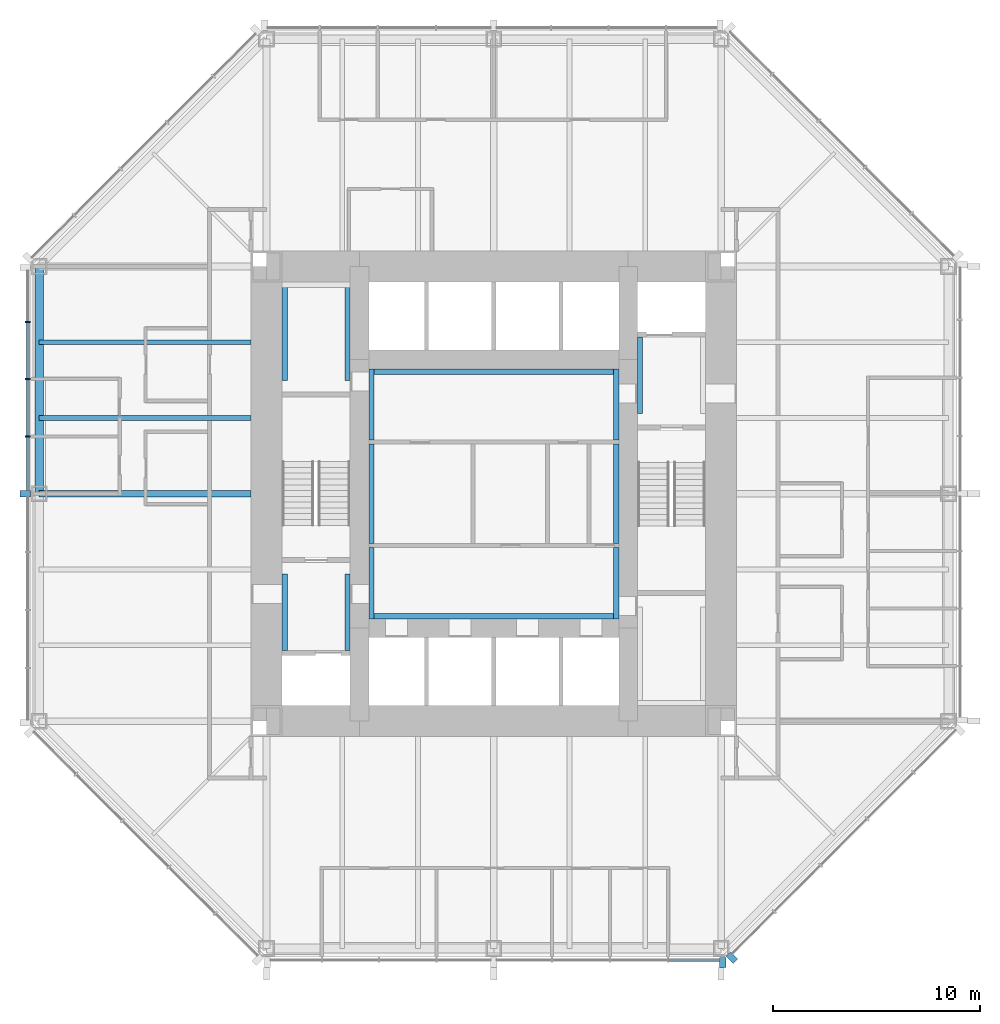
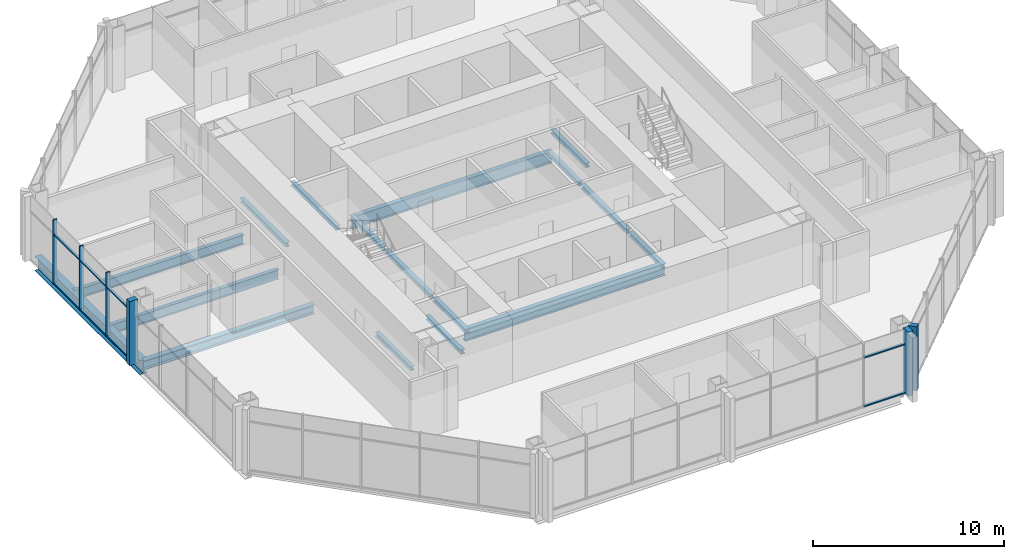
# One storey, part 3 of 12: 17 beams, 14 members, 3 elements without a shape of their own.
"""IFC4 building model written with IfcOpenShell, lengths in metres."""

from ifc_helpers import new_model, si_unit, direction, frame, origin, origin_2d, place, context, subcontext, project, spatial, rectangle, i_section, extrude, material, material_profile, profile_set, type_object, element, aggregate, save


model = new_model("IFC4")

# Units and contexts
model_context = context("Model", 3, precision=1e-05, world=origin(), true_north=direction((0.0, 1.0)))
body_context = subcontext(model_context, "Body", "Model", "MODEL_VIEW")
ifc_project = project(units=[si_unit("LENGTHUNIT", "METRE"), si_unit("AREAUNIT", "SQUARE_METRE"), si_unit("VOLUMEUNIT", "CUBIC_METRE"), si_unit("PLANEANGLEUNIT", "RADIAN"), si_unit("MASSUNIT", "GRAM", prefix="KILO")], contexts=[model_context])

# Site, building, storey
site_placement = place(None, origin())
site = spatial("IfcSite", under=ifc_project, at=site_placement, CompositionType="ELEMENT")
building_placement = place(site_placement, origin())
building = spatial("IfcBuilding", under=site, at=building_placement, Name="Trevanion Tower", CompositionType="ELEMENT")
storey_placement = place(building_placement, frame((0.0, 0.0, 137.699951171875)))
storey = spatial("IfcBuildingStorey", under=building, at=storey_placement, Name="L32", CompositionType="ELEMENT", Elevation=137.699951171875)

# Beams
ifc_material_1 = material(Name="Steel ASTM A992 Grade 50", Category="steel")
ifc_material_profile_1 = material_profile(ifc_material_1, i_section(OverallWidth=0.22900390625, OverallDepth=0.612060546875, WebThickness=0.011962890625, FlangeThickness=0.01953125, at=origin_2d()), Name="W24X84")
ifc_profile_set_1 = profile_set([ifc_material_profile_1], Name="Steel ASTM A992 Grade 50")
beam_type_1 = type_object("IfcBeamType", Name="B7 W24X84", PredefinedType="BEAM", material=ifc_profile_set_1)
for number, where, z_axis, x_axis, name in (
    (1, (-11.75, 7.333251953125, -0.49609375), (-1.0, 0.0, 0.0), (0.0, -1.0, 0.0), "B7 L32"),
    (2, (-11.75, 3.666748046875, -0.49609375), (-1.0, 0.0, 0.0), (0.0, -1.0, 0.0), "B7 L32"),
):
    element("IfcBeam", number, at=place(storey_placement, frame(where, z_axis=z_axis, x_axis=x_axis)), inside=storey, type_object=beam_type_1, Name=name, PredefinedType="BEAM", context=body_context, shape_type="SweptSolid", body=[
        extrude(i_section(OverallWidth=0.22900390625, OverallDepth=0.612060546875, WebThickness=0.011962890625, FlangeThickness=0.01953125, at=origin_2d()), origin(), (0.0, 0.0, 1.0), 10.25),
    ])

# Curtain wall, members
ifc_material_2 = material(Name="Aluminium and glass", Category="aluminium")
curtain_wall_type = type_object("IfcCurtainWallType", Name="CW2 curtain wall", PredefinedType="USERDEFINED", material=ifc_material_2)
curtain_wall_1_placement = place(storey_placement, origin())
curtain_wall_1 = element("IfcCurtainWall", 3, at=curtain_wall_1_placement, inside=storey, type_object=curtain_wall_type, Name="CW2 L32 4", ObjectType="UNITISED CURTAIN WALL", PredefinedType="USERDEFINED")
ifc_material_3 = material(Name="Aluminium extrusion, anodised bronze", Category="aluminium")
ifc_material_profile_2 = material_profile(ifc_material_3, rectangle(XDim=0.074951171875, YDim=0.25, at=origin_2d()), Name="CW2 mullion")
ifc_profile_set_2 = profile_set([ifc_material_profile_2], Name="Aluminium extrusion, anodised bronze")
member_type_1 = type_object("IfcMemberType", Name="CW2 mullion", PredefinedType="MULLION", material=ifc_profile_set_2)
member_1_placement = place(storey_placement, frame((-22.550048828125, 8.323486328125, -0.18994140625), z_axis=(0.0, 0.0, 1.0), x_axis=(0.0, -1.0, 0.0)))
member_1 = element("IfcMember", 4, at=member_1_placement, type_object=member_type_1, Name="CW2 mullion 2", PredefinedType="MULLION", context=body_context, shape_type="SweptSolid", body=[
    extrude(rectangle(XDim=0.074951171875, YDim=0.25, at=origin_2d()), origin(), (0.0, 0.0, 1.0), 4.10009765625),
])
member_2_placement = place(storey_placement, frame((-22.550048828125, 5.548828125, -0.18994140625), z_axis=(0.0, 0.0, 1.0), x_axis=(0.0, -1.0, 0.0)))
member_2 = element("IfcMember", 5, at=member_2_placement, type_object=member_type_1, Name="CW2 mullion 3", PredefinedType="MULLION", context=body_context, shape_type="SweptSolid", body=[
    extrude(rectangle(XDim=0.074951171875, YDim=0.25, at=origin_2d()), origin(), (0.0, 0.0, 1.0), 4.10009765625),
])
member_3_placement = place(storey_placement, frame((-22.550048828125, 2.7744140625, -0.18994140625), z_axis=(0.0, 0.0, 1.0), x_axis=(0.0, -1.0, 0.0)))
member_3 = element("IfcMember", 6, at=member_3_placement, type_object=member_type_1, Name="CW2 mullion 4", PredefinedType="MULLION", context=body_context, shape_type="SweptSolid", body=[
    extrude(rectangle(XDim=0.074951171875, YDim=0.25, at=origin_2d()), origin(), (0.0, 0.0, 1.0), 4.10009765625),
])
ifc_material_4 = material(Name="Aluminium extrusion, anodised bronze", Category="aluminium")
ifc_material_profile_3 = material_profile(ifc_material_4, rectangle(XDim=0.300048828125, YDim=0.5, at=origin_2d()), Name="CW2 pier mullion")
ifc_profile_set_3 = profile_set([ifc_material_profile_3], Name="Aluminium extrusion, anodised bronze")
member_type_2 = type_object("IfcMemberType", Name="CW2 pier mullion", PredefinedType="MULLION", material=ifc_profile_set_3)
member_4_placement = place(storey_placement, frame((-22.675048828125, 0.0, -0.18994140625), z_axis=(0.0, 0.0, 1.0), x_axis=(0.0, -1.0, 0.0)))
member_4 = element("IfcMember", 7, at=member_4_placement, type_object=member_type_2, Name="CW2 pier mullion 5", PredefinedType="MULLION", context=body_context, shape_type="SweptSolid", body=[
    extrude(rectangle(XDim=0.300048828125, YDim=0.5, at=origin_2d()), origin(), (0.0, 0.0, 1.0), 4.10009765625),
])

# Curtain wall, member
curtain_wall_2_placement = place(storey_placement, origin())
curtain_wall_2 = element("IfcCurtainWall", 8, at=curtain_wall_2_placement, inside=storey, type_object=curtain_wall_type, Name="CW2 L32 6", ObjectType="UNITISED CURTAIN WALL", PredefinedType="USERDEFINED")
member_5_placement = place(storey_placement, frame((11.077880859375, -22.675048828125, -0.18994140625), z_axis=(0.0, 0.0, 1.0), x_axis=(1.0, 0.0, 0.0)))
member_5 = element("IfcMember", 9, at=member_5_placement, type_object=member_type_2, Name="CW2 pier mullion 9", PredefinedType="MULLION", context=body_context, shape_type="SweptSolid", body=[
    extrude(rectangle(XDim=0.300048828125, YDim=0.5, at=origin_2d()), origin(), (0.0, 0.0, 1.0), 4.10009765625),
])

curtain_wall_3_placement = place(storey_placement, origin())
curtain_wall_3 = element("IfcCurtainWall", 10, at=curtain_wall_3_placement, inside=storey, type_object=curtain_wall_type, Name="CW2 L32 7", ObjectType="UNITISED CURTAIN WALL", PredefinedType="USERDEFINED")
member_6_placement = place(storey_placement, frame((11.51416015625, -22.4404296875, -0.18994140625), z_axis=(0.0, 0.0, 1.0), x_axis=(0.707106781187, 0.707106781187, 0.0)))
member_6 = element("IfcMember", 11, at=member_6_placement, type_object=member_type_2, Name="CW2 pier mullion 1", PredefinedType="MULLION", context=body_context, shape_type="SweptSolid", body=[
    extrude(rectangle(XDim=0.300048828125, YDim=0.5, at=origin_2d()), origin(), (0.0, 0.0, 1.0), 4.10009765625),
])
aggregate(curtain_wall_3, [member_6])

# Member
ifc_material_5 = material(Name="Aluminium extrusion, anodised bronze", Category="aluminium")
ifc_material_profile_4 = material_profile(ifc_material_5, rectangle(XDim=0.14990234375, YDim=0.074951171875, at=origin_2d()), Name="CW2 transom")
ifc_profile_set_4 = profile_set([ifc_material_profile_4], Name="Aluminium extrusion, anodised bronze")
member_type_3 = type_object("IfcMemberType", Name="CW2 transom", PredefinedType="USERDEFINED", material=ifc_profile_set_4)
member_7_placement = place(storey_placement, frame((-22.550048828125, 8.285888671875, -0.15234375), z_axis=(0.0, -1.0, 0.0), x_axis=(1.0, 0.0, 0.0)))
member_7 = element("IfcMember", 12, at=member_7_placement, type_object=member_type_3, Name="CW2 transom 2.1", ObjectType="TRANSOM", PredefinedType="USERDEFINED", context=body_context, shape_type="SweptSolid", body=[
    extrude(rectangle(XDim=0.14990234375, YDim=0.074951171875, at=origin_2d()), origin(), (0.0, 0.0, 1.0), 2.699462890625),
])

member_8_placement = place(storey_placement, frame((-22.550048828125, 8.285888671875, 2.9599609375), z_axis=(0.0, -1.0, 0.0), x_axis=(1.0, 0.0, 0.0)))
member_8 = element("IfcMember", 13, at=member_8_placement, type_object=member_type_3, Name="CW2 transom 2.2", ObjectType="TRANSOM", PredefinedType="USERDEFINED", context=body_context, shape_type="SweptSolid", body=[
    extrude(rectangle(XDim=0.14990234375, YDim=0.074951171875, at=origin_2d()), origin(), (0.0, 0.0, 1.0), 2.699462890625),
])

member_9_placement = place(storey_placement, frame((-22.550048828125, 5.511474609375, -0.15234375), z_axis=(0.0, -1.0, 0.0), x_axis=(1.0, 0.0, 0.0)))
member_9 = element("IfcMember", 14, at=member_9_placement, type_object=member_type_3, Name="CW2 transom 3.1", ObjectType="TRANSOM", PredefinedType="USERDEFINED", context=body_context, shape_type="SweptSolid", body=[
    extrude(rectangle(XDim=0.14990234375, YDim=0.074951171875, at=origin_2d()), origin(), (0.0, 0.0, 1.0), 2.699462890625),
])

member_10_placement = place(storey_placement, frame((-22.550048828125, 5.511474609375, 2.9599609375), z_axis=(0.0, -1.0, 0.0), x_axis=(1.0, 0.0, 0.0)))
member_10 = element("IfcMember", 15, at=member_10_placement, type_object=member_type_3, Name="CW2 transom 3.2", ObjectType="TRANSOM", PredefinedType="USERDEFINED", context=body_context, shape_type="SweptSolid", body=[
    extrude(rectangle(XDim=0.14990234375, YDim=0.074951171875, at=origin_2d()), origin(), (0.0, 0.0, 1.0), 2.699462890625),
])

member_11_placement = place(storey_placement, frame((-22.550048828125, 2.737060546875, -0.15234375), z_axis=(0.0, -1.0, 0.0), x_axis=(1.0, 0.0, 0.0)))
member_11 = element("IfcMember", 16, at=member_11_placement, type_object=member_type_3, Name="CW2 transom 4.1", ObjectType="TRANSOM", PredefinedType="USERDEFINED", context=body_context, shape_type="SweptSolid", body=[
    extrude(rectangle(XDim=0.14990234375, YDim=0.074951171875, at=origin_2d()), origin(), (0.0, 0.0, 1.0), 2.587158203125),
])

member_12_placement = place(storey_placement, frame((-22.550048828125, 2.737060546875, 2.9599609375), z_axis=(0.0, -1.0, 0.0), x_axis=(1.0, 0.0, 0.0)))
member_12 = element("IfcMember", 17, at=member_12_placement, type_object=member_type_3, Name="CW2 transom 4.2", ObjectType="TRANSOM", PredefinedType="USERDEFINED", context=body_context, shape_type="SweptSolid", body=[
    extrude(rectangle(XDim=0.14990234375, YDim=0.074951171875, at=origin_2d()), origin(), (0.0, 0.0, 1.0), 2.587158203125),
])

aggregate(curtain_wall_1, [member_1, member_2, member_3, member_4, member_7, member_8, member_9, member_10, member_11, member_12])

member_13_placement = place(storey_placement, frame((8.45849609375, -22.550048828125, -0.15234375), z_axis=(1.0, 0.0, 0.0), x_axis=(0.0, 1.0, 0.0)))
member_13 = element("IfcMember", 18, at=member_13_placement, type_object=member_type_3, Name="CW2 transom 8.1", ObjectType="TRANSOM", PredefinedType="USERDEFINED", context=body_context, shape_type="SweptSolid", body=[
    extrude(rectangle(XDim=0.14990234375, YDim=0.074951171875, at=origin_2d()), origin(), (0.0, 0.0, 1.0), 2.46923828125),
])

member_14_placement = place(storey_placement, frame((8.45849609375, -22.550048828125, 2.9599609375), z_axis=(1.0, 0.0, 0.0), x_axis=(0.0, 1.0, 0.0)))
member_14 = element("IfcMember", 19, at=member_14_placement, type_object=member_type_3, Name="CW2 transom 8.2", ObjectType="TRANSOM", PredefinedType="USERDEFINED", context=body_context, shape_type="SweptSolid", body=[
    extrude(rectangle(XDim=0.14990234375, YDim=0.074951171875, at=origin_2d()), origin(), (0.0, 0.0, 1.0), 2.46923828125),
])

aggregate(curtain_wall_2, [member_5, member_13, member_14])

# Beams
ifc_material_6 = material(Name="Steel ASTM A992 Grade 50", Category="steel")
ifc_material_profile_5 = material_profile(ifc_material_6, i_section(OverallWidth=0.320068359375, OverallDepth=0.584228515625, WebThickness=0.023193359375, FlangeThickness=0.04150390625, at=origin_2d()), Name="W21X201")
ifc_profile_set_5 = profile_set([ifc_material_profile_5], Name="Steel ASTM A992 Grade 50")
beam_type_2 = type_object("IfcBeamType", Name="G4 W21X201", PredefinedType="BEAM", material=ifc_profile_set_5)
beam_1_placement = place(storey_placement, frame((-11.75, 0.0, -0.48193359375), z_axis=(-1.0, 0.0, 0.0), x_axis=(0.0, -1.0, 0.0)))
element("IfcBeam", 20, at=beam_1_placement, inside=storey, type_object=beam_type_2, Name="G4 L32", PredefinedType="BEAM", context=body_context, shape_type="SweptSolid", body=[
    extrude(i_section(OverallWidth=0.320068359375, OverallDepth=0.584228515625, WebThickness=0.023193359375, FlangeThickness=0.04150390625, at=origin_2d()), origin(), (0.0, 0.0, 1.0), 10.25),
])
ifc_material_7 = material(Name="Steel ASTM A992 Grade 50", Category="steel")
ifc_material_profile_6 = material_profile(ifc_material_7, i_section(OverallWidth=0.256591796875, OverallDepth=0.26416015625, WebThickness=0.011962890625, FlangeThickness=0.01953125, at=origin_2d()), Name="W10X68")
ifc_profile_set_6 = profile_set([ifc_material_profile_6], Name="Steel ASTM A992 Grade 50")
beam_type_3 = type_object("IfcBeamType", Name="LB1 W10X68", PredefinedType="BEAM", material=ifc_profile_set_6)
for number, where, z_axis, x_axis, name in (
    (21, (-5.921630859375, 2.60009765625, -0.33203125), (0.0, 1.0, 0.0), (-1.0, 0.0, 0.0), "LB1 L32"),
    (22, (5.921630859375, 2.60009765625, -0.33203125), (0.0, 1.0, 0.0), (-1.0, 0.0, 0.0), "LB1 L32"),
    (23, (-5.921630859375, -6.050048828125, -0.33203125), (0.0, 1.0, 0.0), (-1.0, 0.0, 0.0), "LB1 L32"),
    (24, (5.921630859375, -6.050048828125, -0.33203125), (0.0, 1.0, 0.0), (-1.0, 0.0, 0.0), "LB1 L32"),
):
    element("IfcBeam", number, at=place(storey_placement, frame(where, z_axis=z_axis, x_axis=x_axis)), inside=storey, type_object=beam_type_3, Name=name, PredefinedType="BEAM", context=body_context, shape_type="SweptSolid", body=[
        extrude(i_section(OverallWidth=0.256591796875, OverallDepth=0.26416015625, WebThickness=0.011962890625, FlangeThickness=0.01953125, at=origin_2d()), origin(), (0.0, 0.0, 1.0), 3.449951171875),
    ])
for number, where, z_axis, x_axis, name in (
    (25, (7.078369140625, 3.875, -0.33203125), (0.0, 1.0, 0.0), (-1.0, 0.0, 0.0), "LB1 L32"),
    (26, (-10.12158203125, -7.574951171875, -0.33203125), (0.0, 1.0, 0.0), (-1.0, 0.0, 0.0), "LB1 L32"),
    (27, (-7.078369140625, -7.574951171875, -0.33203125), (0.0, 1.0, 0.0), (-1.0, 0.0, 0.0), "LB1 L32"),
):
    element("IfcBeam", number, at=place(storey_placement, frame(where, z_axis=z_axis, x_axis=x_axis)), inside=storey, type_object=beam_type_3, Name=name, PredefinedType="BEAM", context=body_context, shape_type="SweptSolid", body=[
        extrude(i_section(OverallWidth=0.256591796875, OverallDepth=0.26416015625, WebThickness=0.011962890625, FlangeThickness=0.01953125, at=origin_2d()), origin(), (0.0, 0.0, 1.0), 3.699951171875),
    ])
for number, where, z_axis, x_axis, name in (
    (28, (-10.12158203125, 5.47509765625, -0.33203125), (0.0, 1.0, 0.0), (-1.0, 0.0, 0.0), "LB1 L32"),
    (29, (-7.078369140625, 5.47509765625, -0.33203125), (0.0, 1.0, 0.0), (-1.0, 0.0, 0.0), "LB1 L32"),
):
    element("IfcBeam", number, at=place(storey_placement, frame(where, z_axis=z_axis, x_axis=x_axis)), inside=storey, type_object=beam_type_3, Name=name, PredefinedType="BEAM", context=body_context, shape_type="SweptSolid", body=[
        extrude(i_section(OverallWidth=0.256591796875, OverallDepth=0.26416015625, WebThickness=0.011962890625, FlangeThickness=0.01953125, at=origin_2d()), origin(), (0.0, 0.0, 1.0), 4.77490234375),
    ])
for number, where, z_axis, x_axis, name in (
    (30, (-5.921630859375, -2.39990234375, -0.33203125), (0.0, 1.0, 0.0), (-1.0, 0.0, 0.0), "LB1 L32"),
    (31, (5.921630859375, -2.39990234375, -0.33203125), (0.0, 1.0, 0.0), (-1.0, 0.0, 0.0), "LB1 L32"),
):
    element("IfcBeam", number, at=place(storey_placement, frame(where, z_axis=z_axis, x_axis=x_axis)), inside=storey, type_object=beam_type_3, Name=name, PredefinedType="BEAM", context=body_context, shape_type="SweptSolid", body=[
        extrude(i_section(OverallWidth=0.256591796875, OverallDepth=0.26416015625, WebThickness=0.011962890625, FlangeThickness=0.01953125, at=origin_2d()), origin(), (0.0, 0.0, 1.0), 4.7998046875),
    ])
ifc_material_8 = material(Name="Steel ASTM A992 Grade 50", Category="steel")
ifc_material_profile_7 = material_profile(ifc_material_8, i_section(OverallWidth=0.2666015625, OverallDepth=0.76953125, WebThickness=0.015625, FlangeThickness=0.025390625, at=origin_2d()), Name="W30X132")
ifc_profile_set_7 = profile_set([ifc_material_profile_7], Name="Steel ASTM A992 Grade 50")
beam_type_4 = type_object("IfcBeamType", Name="LB3 W30X132", PredefinedType="BEAM", material=ifc_profile_set_7)
for number, where, z_axis, x_axis, name in (
    (32, (-6.050048828125, 5.91650390625, -0.584716796875), (1.0, 0.0, 0.0), (0.0, 1.0, 0.0), "LB3 L32"),
    (33, (-6.050048828125, -5.91650390625, -0.584716796875), (1.0, 0.0, 0.0), (0.0, 1.0, 0.0), "LB3 L32"),
):
    element("IfcBeam", number, at=place(storey_placement, frame(where, z_axis=z_axis, x_axis=x_axis)), inside=storey, type_object=beam_type_4, Name=name, PredefinedType="BEAM", context=body_context, shape_type="SweptSolid", body=[
        extrude(i_section(OverallWidth=0.2666015625, OverallDepth=0.76953125, WebThickness=0.015625, FlangeThickness=0.025390625, at=origin_2d()), origin(), (0.0, 0.0, 1.0), 12.10009765625),
    ])
ifc_material_9 = material(Name="Steel ASTM A992 Grade 50", Category="steel")
ifc_material_profile_8 = material_profile(ifc_material_9, i_section(OverallWidth=0.419189453125, OverallDepth=0.927001953125, WebThickness=0.019287109375, FlangeThickness=0.031982421875, at=origin_2d()), Name="W36X231")
ifc_profile_set_8 = profile_set([ifc_material_profile_8], Name="Steel ASTM A992 Grade 50")
beam_type_5 = type_object("IfcBeamType", Name="SB4 W36X231", PredefinedType="SPANDREL", material=ifc_profile_set_8)
beam_2_placement = place(storey_placement, frame((-22.0, 11.0, -0.653564453125), z_axis=(0.0, -1.0, 0.0), x_axis=(1.0, 0.0, 0.0)))
element("IfcBeam", 34, at=beam_2_placement, inside=storey, type_object=beam_type_5, Name="SB4 L32", PredefinedType="SPANDREL", context=body_context, shape_type="SweptSolid", body=[
    extrude(i_section(OverallWidth=0.419189453125, OverallDepth=0.927001953125, WebThickness=0.019287109375, FlangeThickness=0.031982421875, at=origin_2d()), origin(), (0.0, 0.0, 1.0), 11.0),
])

save(model, "model.ifc")
